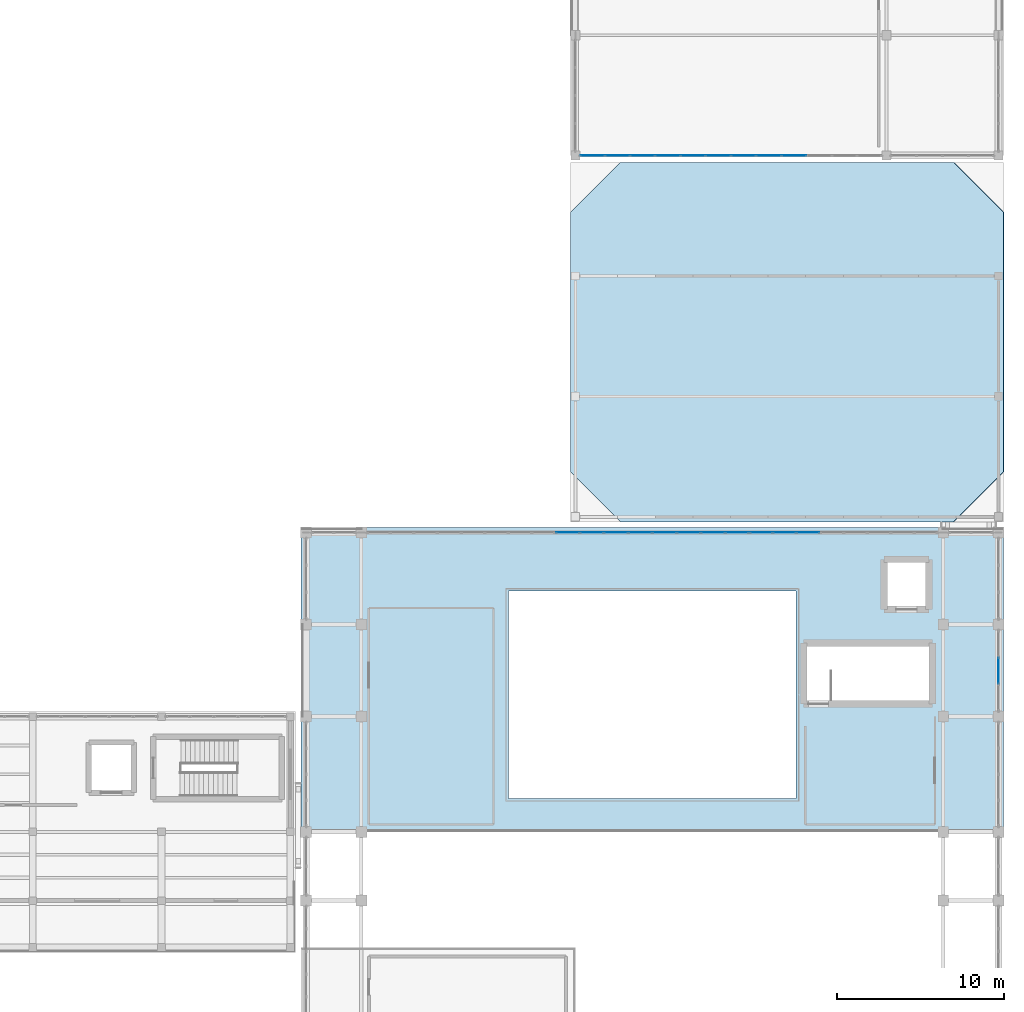
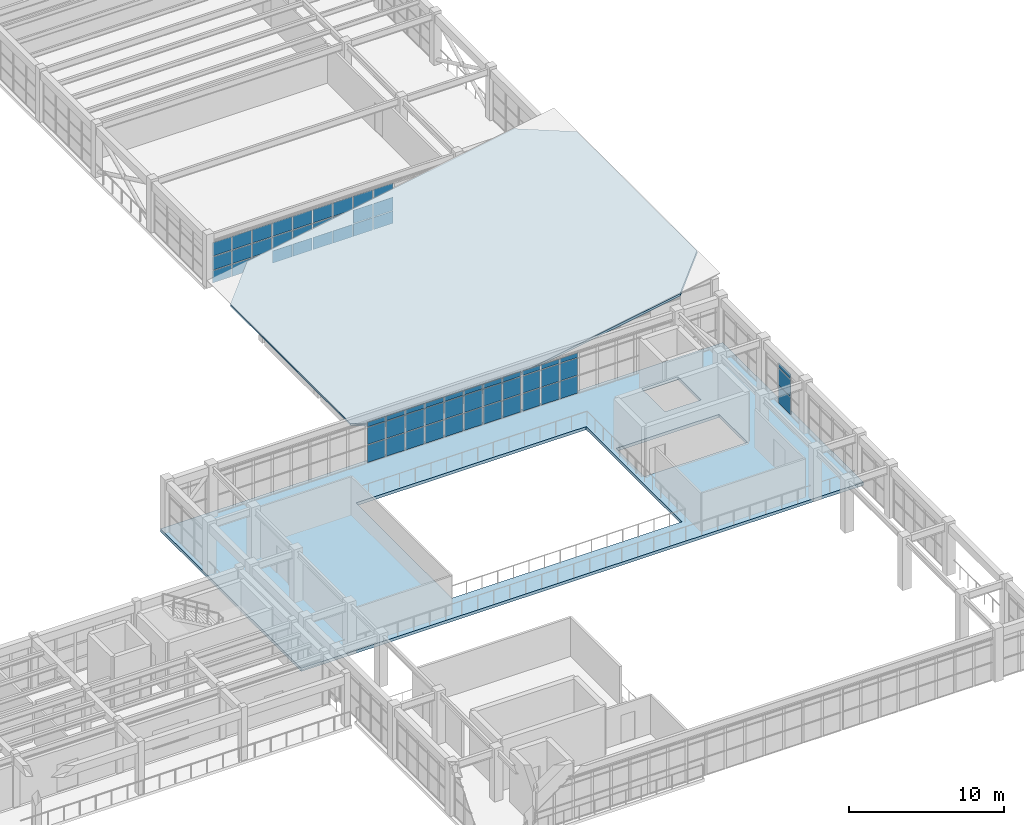
# One storey, part 45 of 66: 63 plates, 2 slabs, 4 elements without a shape of their own.
"""IFC4 building model written with IfcOpenShell, lengths in metres."""

from ifc_helpers import new_model, si_unit, direction, frame, origin, origin_2d, place, context, subcontext, project, spatial, polyline, rectangle, outline, extrude, material, layer, layer_set, type_object, element, aggregate, save


model = new_model("IFC4")

# Units and contexts
model_context = context("Model", 3, precision=1e-05, world=origin(), true_north=direction((0.0, 1.0)))
body_context = subcontext(model_context, "Body", "Model", "MODEL_VIEW")
ifc_project = project(units=[si_unit("LENGTHUNIT", "METRE"), si_unit("AREAUNIT", "SQUARE_METRE"), si_unit("VOLUMEUNIT", "CUBIC_METRE"), si_unit("PLANEANGLEUNIT", "RADIAN"), si_unit("MASSUNIT", "GRAM", prefix="KILO")], contexts=[model_context])

# Site, building, storey
site_placement = place(None, origin())
site = spatial("IfcSite", under=ifc_project, at=site_placement, CompositionType="ELEMENT")
building_placement = place(site_placement, origin())
building = spatial("IfcBuilding", under=site, at=building_placement, Name="Candilejo Ridge Gondola Terminal", CompositionType="ELEMENT")
storey_placement = place(building_placement, frame((0.0, 0.0, 14.39990234375)))
storey = spatial("IfcBuildingStorey", under=building, at=storey_placement, Name="L03", CompositionType="ELEMENT", Elevation=14.39990234375)

# Curtain wall, plates
ifc_material_1 = material(Name="Anodised aluminium AA 6063-T6", Category="aluminium")
ifc_layer_1 = layer(ifc_material_1, 0.169921875)
ifc_layer_set_1 = layer_set([ifc_layer_1], Name="ARC-CW-HALL-3800-485X329")
curtain_wall_type_1 = type_object("IfcCurtainWallType", Name="ARC-CW-HALL-3800-485X329", PredefinedType="NOTDEFINED", material=ifc_layer_set_1)
curtain_wall_1_placement = place(storey_placement, origin())
curtain_wall_1 = element("IfcCurtainWall", 1, at=curtain_wall_1_placement, inside=storey, type_object=curtain_wall_type_1, Name="Curtain wall V4 L03-161", PredefinedType="NOTDEFINED")
ifc_material_2 = material(Name="Low-E laminated double glazing 6+12A+6+1.52PVB+6 mm", Category="glass")
ifc_layer_2 = layer(ifc_material_2, 0.028076171875)
ifc_layer_set_2 = layer_set([ifc_layer_2], Name="ARC-CW-GLAZ-PANEL")
plate_type = type_object("IfcPlateType", Name="ARC-CW-GLAZ-PANEL", PredefinedType="CURTAIN_PANEL", material=ifc_layer_set_2)
plate_1_placement = place(storey_placement, frame((175.300048828125, 39.449951171875, 0.06005859375), z_axis=(0.0, 0.0, 1.0), x_axis=(0.0, 1.0, 0.0)))
plate_1 = element("IfcPlate", 2, at=plate_1_placement, type_object=plate_type, Name="CW-48X32 panel 2.1", PredefinedType="CURTAIN_PANEL", context=body_context, shape_type="SweptSolid", body=[
    extrude(rectangle(XDim=1.5517578125, YDim=0.028076171875, at=origin_2d()), origin(), (0.0, 0.0, 1.0), 1.360107421875),
])
plate_2_placement = place(storey_placement, frame((175.300048828125, 39.449951171875, 1.47998046875), z_axis=(0.0, 0.0, 1.0), x_axis=(0.0, 1.0, 0.0)))
plate_2 = element("IfcPlate", 3, at=plate_2_placement, type_object=plate_type, Name="CW-48X32 panel 2.2", PredefinedType="CURTAIN_PANEL", context=body_context, shape_type="SweptSolid", body=[
    extrude(rectangle(XDim=1.5517578125, YDim=0.028076171875, at=origin_2d()), origin(), (0.0, 0.0, 1.0), 1.340087890625),
])
plate_3_placement = place(storey_placement, frame((175.300048828125, 39.449951171875, 2.880126953125), z_axis=(0.0, 0.0, 1.0), x_axis=(0.0, 1.0, 0.0)))
plate_3 = element("IfcPlate", 4, at=plate_3_placement, type_object=plate_type, Name="CW-48X32 panel 2.3", PredefinedType="CURTAIN_PANEL", context=body_context, shape_type="SweptSolid", body=[
    extrude(rectangle(XDim=1.5517578125, YDim=0.028076171875, at=origin_2d()), origin(), (0.0, 0.0, 1.0), 0.35009765625),
])
aggregate(curtain_wall_1, [plate_1, plate_2, plate_3])

ifc_material_3 = material(Name="Anodised aluminium AA 6063-T6", Category="aluminium")
ifc_layer_3 = layer(ifc_material_3, 0.169921875)
ifc_layer_set_3 = layer_set([ifc_layer_3], Name="ARC-CW-HALL-3800-1160X329")
curtain_wall_type_2 = type_object("IfcCurtainWallType", Name="ARC-CW-HALL-3800-1160X329", PredefinedType="NOTDEFINED", material=ifc_layer_set_3)
curtain_wall_2_placement = place(storey_placement, origin())
curtain_wall_2 = element("IfcCurtainWall", 5, at=curtain_wall_2_placement, inside=storey, type_object=curtain_wall_type_2, Name="Curtain wall V4 L03-172", PredefinedType="NOTDEFINED")
plate_4_placement = place(storey_placement, frame((149.541259765625, 47.699951171875, 0.06005859375), z_axis=(0.0, 0.0, 1.0), x_axis=(1.0, 0.0, 0.0)))
plate_4 = element("IfcPlate", 6, at=plate_4_placement, type_object=plate_type, Name="CW-116X32 panel 1.1", PredefinedType="CURTAIN_PANEL", context=body_context, shape_type="SweptSolid", body=[
    extrude(rectangle(XDim=1.3525390625, YDim=0.028076171875, at=origin_2d()), origin(), (0.0, 0.0, 1.0), 1.360107421875),
])
plate_5_placement = place(storey_placement, frame((149.541259765625, 47.699951171875, 1.47998046875), z_axis=(0.0, 0.0, 1.0), x_axis=(1.0, 0.0, 0.0)))
plate_5 = element("IfcPlate", 7, at=plate_5_placement, type_object=plate_type, Name="CW-116X32 panel 1.2", PredefinedType="CURTAIN_PANEL", context=body_context, shape_type="SweptSolid", body=[
    extrude(rectangle(XDim=1.3525390625, YDim=0.028076171875, at=origin_2d()), origin(), (0.0, 0.0, 1.0), 1.340087890625),
])
plate_6_placement = place(storey_placement, frame((149.541259765625, 47.699951171875, 2.880126953125), z_axis=(0.0, 0.0, 1.0), x_axis=(1.0, 0.0, 0.0)))
plate_6 = element("IfcPlate", 8, at=plate_6_placement, type_object=plate_type, Name="CW-116X32 panel 1.3", PredefinedType="CURTAIN_PANEL", context=body_context, shape_type="SweptSolid", body=[
    extrude(rectangle(XDim=1.3525390625, YDim=0.028076171875, at=origin_2d()), origin(), (0.0, 0.0, 1.0), 0.35009765625),
])
plate_7_placement = place(storey_placement, frame((150.97509765625, 47.699951171875, 0.06005859375), z_axis=(0.0, 0.0, 1.0), x_axis=(1.0, 0.0, 0.0)))
plate_7 = element("IfcPlate", 9, at=plate_7_placement, type_object=plate_type, Name="CW-116X32 panel 2.1", PredefinedType="CURTAIN_PANEL", context=body_context, shape_type="SweptSolid", body=[
    extrude(rectangle(XDim=1.385009765625, YDim=0.028076171875, at=origin_2d()), origin(), (0.0, 0.0, 1.0), 1.360107421875),
])
plate_8_placement = place(storey_placement, frame((150.97509765625, 47.699951171875, 1.47998046875), z_axis=(0.0, 0.0, 1.0), x_axis=(1.0, 0.0, 0.0)))
plate_8 = element("IfcPlate", 10, at=plate_8_placement, type_object=plate_type, Name="CW-116X32 panel 2.2", PredefinedType="CURTAIN_PANEL", context=body_context, shape_type="SweptSolid", body=[
    extrude(rectangle(XDim=1.385009765625, YDim=0.028076171875, at=origin_2d()), origin(), (0.0, 0.0, 1.0), 1.340087890625),
])
plate_9_placement = place(storey_placement, frame((150.97509765625, 47.699951171875, 2.880126953125), z_axis=(0.0, 0.0, 1.0), x_axis=(1.0, 0.0, 0.0)))
plate_9 = element("IfcPlate", 11, at=plate_9_placement, type_object=plate_type, Name="CW-116X32 panel 2.3", PredefinedType="CURTAIN_PANEL", context=body_context, shape_type="SweptSolid", body=[
    extrude(rectangle(XDim=1.385009765625, YDim=0.028076171875, at=origin_2d()), origin(), (0.0, 0.0, 1.0), 0.35009765625),
])
plate_10_placement = place(storey_placement, frame((152.425048828125, 47.699951171875, 0.06005859375), z_axis=(0.0, 0.0, 1.0), x_axis=(1.0, 0.0, 0.0)))
plate_10 = element("IfcPlate", 12, at=plate_10_placement, type_object=plate_type, Name="CW-116X32 panel 3.1", PredefinedType="CURTAIN_PANEL", context=body_context, shape_type="SweptSolid", body=[
    extrude(rectangle(XDim=1.385009765625, YDim=0.028076171875, at=origin_2d()), origin(), (0.0, 0.0, 1.0), 1.360107421875),
])
plate_11_placement = place(storey_placement, frame((152.425048828125, 47.699951171875, 1.47998046875), z_axis=(0.0, 0.0, 1.0), x_axis=(1.0, 0.0, 0.0)))
plate_11 = element("IfcPlate", 13, at=plate_11_placement, type_object=plate_type, Name="CW-116X32 panel 3.2", PredefinedType="CURTAIN_PANEL", context=body_context, shape_type="SweptSolid", body=[
    extrude(rectangle(XDim=1.385009765625, YDim=0.028076171875, at=origin_2d()), origin(), (0.0, 0.0, 1.0), 1.340087890625),
])
plate_12_placement = place(storey_placement, frame((152.425048828125, 47.699951171875, 2.880126953125), z_axis=(0.0, 0.0, 1.0), x_axis=(1.0, 0.0, 0.0)))
plate_12 = element("IfcPlate", 14, at=plate_12_placement, type_object=plate_type, Name="CW-116X32 panel 3.3", PredefinedType="CURTAIN_PANEL", context=body_context, shape_type="SweptSolid", body=[
    extrude(rectangle(XDim=1.385009765625, YDim=0.028076171875, at=origin_2d()), origin(), (0.0, 0.0, 1.0), 0.35009765625),
])
plate_13_placement = place(storey_placement, frame((153.875, 47.699951171875, 0.06005859375), z_axis=(0.0, 0.0, 1.0), x_axis=(1.0, 0.0, 0.0)))
plate_13 = element("IfcPlate", 15, at=plate_13_placement, type_object=plate_type, Name="CW-116X32 panel 4.1", PredefinedType="CURTAIN_PANEL", context=body_context, shape_type="SweptSolid", body=[
    extrude(rectangle(XDim=1.385009765625, YDim=0.028076171875, at=origin_2d()), origin(), (0.0, 0.0, 1.0), 1.360107421875),
])
plate_14_placement = place(storey_placement, frame((153.875, 47.699951171875, 1.47998046875), z_axis=(0.0, 0.0, 1.0), x_axis=(1.0, 0.0, 0.0)))
plate_14 = element("IfcPlate", 16, at=plate_14_placement, type_object=plate_type, Name="CW-116X32 panel 4.2", PredefinedType="CURTAIN_PANEL", context=body_context, shape_type="SweptSolid", body=[
    extrude(rectangle(XDim=1.385009765625, YDim=0.028076171875, at=origin_2d()), origin(), (0.0, 0.0, 1.0), 1.340087890625),
])
plate_15_placement = place(storey_placement, frame((153.875, 47.699951171875, 2.880126953125), z_axis=(0.0, 0.0, 1.0), x_axis=(1.0, 0.0, 0.0)))
plate_15 = element("IfcPlate", 17, at=plate_15_placement, type_object=plate_type, Name="CW-116X32 panel 4.3", PredefinedType="CURTAIN_PANEL", context=body_context, shape_type="SweptSolid", body=[
    extrude(rectangle(XDim=1.385009765625, YDim=0.028076171875, at=origin_2d()), origin(), (0.0, 0.0, 1.0), 0.35009765625),
])
plate_16_placement = place(storey_placement, frame((155.324951171875, 47.699951171875, 0.06005859375), z_axis=(0.0, 0.0, 1.0), x_axis=(1.0, 0.0, 0.0)))
plate_16 = element("IfcPlate", 18, at=plate_16_placement, type_object=plate_type, Name="CW-116X32 panel 5.1", PredefinedType="CURTAIN_PANEL", context=body_context, shape_type="SweptSolid", body=[
    extrude(rectangle(XDim=1.385009765625, YDim=0.028076171875, at=origin_2d()), origin(), (0.0, 0.0, 1.0), 1.360107421875),
])
plate_17_placement = place(storey_placement, frame((155.324951171875, 47.699951171875, 1.47998046875), z_axis=(0.0, 0.0, 1.0), x_axis=(1.0, 0.0, 0.0)))
plate_17 = element("IfcPlate", 19, at=plate_17_placement, type_object=plate_type, Name="CW-116X32 panel 5.2", PredefinedType="CURTAIN_PANEL", context=body_context, shape_type="SweptSolid", body=[
    extrude(rectangle(XDim=1.385009765625, YDim=0.028076171875, at=origin_2d()), origin(), (0.0, 0.0, 1.0), 1.340087890625),
])
plate_18_placement = place(storey_placement, frame((155.324951171875, 47.699951171875, 2.880126953125), z_axis=(0.0, 0.0, 1.0), x_axis=(1.0, 0.0, 0.0)))
plate_18 = element("IfcPlate", 20, at=plate_18_placement, type_object=plate_type, Name="CW-116X32 panel 5.3", PredefinedType="CURTAIN_PANEL", context=body_context, shape_type="SweptSolid", body=[
    extrude(rectangle(XDim=1.385009765625, YDim=0.028076171875, at=origin_2d()), origin(), (0.0, 0.0, 1.0), 0.35009765625),
])
plate_19_placement = place(storey_placement, frame((156.77490234375, 47.699951171875, 0.06005859375), z_axis=(0.0, 0.0, 1.0), x_axis=(1.0, 0.0, 0.0)))
plate_19 = element("IfcPlate", 21, at=plate_19_placement, type_object=plate_type, Name="CW-116X32 panel 6.1", PredefinedType="CURTAIN_PANEL", context=body_context, shape_type="SweptSolid", body=[
    extrude(rectangle(XDim=1.385009765625, YDim=0.028076171875, at=origin_2d()), origin(), (0.0, 0.0, 1.0), 1.360107421875),
])
plate_20_placement = place(storey_placement, frame((156.77490234375, 47.699951171875, 1.47998046875), z_axis=(0.0, 0.0, 1.0), x_axis=(1.0, 0.0, 0.0)))
plate_20 = element("IfcPlate", 22, at=plate_20_placement, type_object=plate_type, Name="CW-116X32 panel 6.2", PredefinedType="CURTAIN_PANEL", context=body_context, shape_type="SweptSolid", body=[
    extrude(rectangle(XDim=1.385009765625, YDim=0.028076171875, at=origin_2d()), origin(), (0.0, 0.0, 1.0), 1.340087890625),
])
plate_21_placement = place(storey_placement, frame((156.77490234375, 47.699951171875, 2.880126953125), z_axis=(0.0, 0.0, 1.0), x_axis=(1.0, 0.0, 0.0)))
plate_21 = element("IfcPlate", 23, at=plate_21_placement, type_object=plate_type, Name="CW-116X32 panel 6.3", PredefinedType="CURTAIN_PANEL", context=body_context, shape_type="SweptSolid", body=[
    extrude(rectangle(XDim=1.385009765625, YDim=0.028076171875, at=origin_2d()), origin(), (0.0, 0.0, 1.0), 0.35009765625),
])
plate_22_placement = place(storey_placement, frame((158.22509765625, 47.699951171875, 0.06005859375), z_axis=(0.0, 0.0, 1.0), x_axis=(1.0, 0.0, 0.0)))
plate_22 = element("IfcPlate", 24, at=plate_22_placement, type_object=plate_type, Name="CW-116X32 panel 7.1", PredefinedType="CURTAIN_PANEL", context=body_context, shape_type="SweptSolid", body=[
    extrude(rectangle(XDim=1.385009765625, YDim=0.028076171875, at=origin_2d()), origin(), (0.0, 0.0, 1.0), 1.360107421875),
])
plate_23_placement = place(storey_placement, frame((158.22509765625, 47.699951171875, 1.47998046875), z_axis=(0.0, 0.0, 1.0), x_axis=(1.0, 0.0, 0.0)))
plate_23 = element("IfcPlate", 25, at=plate_23_placement, type_object=plate_type, Name="CW-116X32 panel 7.2", PredefinedType="CURTAIN_PANEL", context=body_context, shape_type="SweptSolid", body=[
    extrude(rectangle(XDim=1.385009765625, YDim=0.028076171875, at=origin_2d()), origin(), (0.0, 0.0, 1.0), 1.340087890625),
])
plate_24_placement = place(storey_placement, frame((158.22509765625, 47.699951171875, 2.880126953125), z_axis=(0.0, 0.0, 1.0), x_axis=(1.0, 0.0, 0.0)))
plate_24 = element("IfcPlate", 26, at=plate_24_placement, type_object=plate_type, Name="CW-116X32 panel 7.3", PredefinedType="CURTAIN_PANEL", context=body_context, shape_type="SweptSolid", body=[
    extrude(rectangle(XDim=1.385009765625, YDim=0.028076171875, at=origin_2d()), origin(), (0.0, 0.0, 1.0), 0.35009765625),
])
plate_25_placement = place(storey_placement, frame((159.65869140625, 47.699951171875, 0.06005859375), z_axis=(0.0, 0.0, 1.0), x_axis=(1.0, 0.0, 0.0)))
plate_25 = element("IfcPlate", 27, at=plate_25_placement, type_object=plate_type, Name="CW-116X32 panel 8.1", PredefinedType="CURTAIN_PANEL", context=body_context, shape_type="SweptSolid", body=[
    extrude(rectangle(XDim=1.3525390625, YDim=0.028076171875, at=origin_2d()), origin(), (0.0, 0.0, 1.0), 1.360107421875),
])
plate_26_placement = place(storey_placement, frame((159.65869140625, 47.699951171875, 1.47998046875), z_axis=(0.0, 0.0, 1.0), x_axis=(1.0, 0.0, 0.0)))
plate_26 = element("IfcPlate", 28, at=plate_26_placement, type_object=plate_type, Name="CW-116X32 panel 8.2", PredefinedType="CURTAIN_PANEL", context=body_context, shape_type="SweptSolid", body=[
    extrude(rectangle(XDim=1.3525390625, YDim=0.028076171875, at=origin_2d()), origin(), (0.0, 0.0, 1.0), 1.340087890625),
])
plate_27_placement = place(storey_placement, frame((159.65869140625, 47.699951171875, 2.880126953125), z_axis=(0.0, 0.0, 1.0), x_axis=(1.0, 0.0, 0.0)))
plate_27 = element("IfcPlate", 29, at=plate_27_placement, type_object=plate_type, Name="CW-116X32 panel 8.3", PredefinedType="CURTAIN_PANEL", context=body_context, shape_type="SweptSolid", body=[
    extrude(rectangle(XDim=1.3525390625, YDim=0.028076171875, at=origin_2d()), origin(), (0.0, 0.0, 1.0), 0.35009765625),
])
aggregate(curtain_wall_2, [plate_4, plate_5, plate_6, plate_7, plate_8, plate_9, plate_10, plate_11, plate_12, plate_13, plate_14, plate_15, plate_16, plate_17, plate_18, plate_19, plate_20, plate_21, plate_22, plate_23, plate_24, plate_25, plate_26, plate_27])

ifc_material_4 = material(Name="Anodised aluminium AA 6063-T6", Category="aluminium")
ifc_layer_4 = layer(ifc_material_4, 0.169921875)
ifc_layer_set_4 = layer_set([ifc_layer_4], Name="ARC-CW-HALL-3800-1128X329")
curtain_wall_type_3 = type_object("IfcCurtainWallType", Name="ARC-CW-HALL-3800-1128X329", PredefinedType="NOTDEFINED", material=ifc_layer_set_4)
curtain_wall_3_placement = place(storey_placement, origin())
curtain_wall_3 = element("IfcCurtainWall", 30, at=curtain_wall_3_placement, inside=storey, type_object=curtain_wall_type_3, Name="Curtain wall V4 L03-173", PredefinedType="NOTDEFINED")
plate_28_placement = place(storey_placement, frame((161.120849609375, 47.699951171875, 0.06005859375), z_axis=(0.0, 0.0, 1.0), x_axis=(1.0, 0.0, 0.0)))
plate_28 = element("IfcPlate", 31, at=plate_28_placement, type_object=plate_type, Name="CW-112X32 panel 1.1", PredefinedType="CURTAIN_PANEL", context=body_context, shape_type="SweptSolid", body=[
    extrude(rectangle(XDim=1.311767578125, YDim=0.028076171875, at=origin_2d()), origin(), (0.0, 0.0, 1.0), 1.360107421875),
])
plate_29_placement = place(storey_placement, frame((161.120849609375, 47.699951171875, 1.47998046875), z_axis=(0.0, 0.0, 1.0), x_axis=(1.0, 0.0, 0.0)))
plate_29 = element("IfcPlate", 32, at=plate_29_placement, type_object=plate_type, Name="CW-112X32 panel 1.2", PredefinedType="CURTAIN_PANEL", context=body_context, shape_type="SweptSolid", body=[
    extrude(rectangle(XDim=1.311767578125, YDim=0.028076171875, at=origin_2d()), origin(), (0.0, 0.0, 1.0), 1.340087890625),
])
plate_30_placement = place(storey_placement, frame((161.120849609375, 47.699951171875, 2.880126953125), z_axis=(0.0, 0.0, 1.0), x_axis=(1.0, 0.0, 0.0)))
plate_30 = element("IfcPlate", 33, at=plate_30_placement, type_object=plate_type, Name="CW-112X32 panel 1.3", PredefinedType="CURTAIN_PANEL", context=body_context, shape_type="SweptSolid", body=[
    extrude(rectangle(XDim=1.311767578125, YDim=0.028076171875, at=origin_2d()), origin(), (0.0, 0.0, 1.0), 0.35009765625),
])
plate_31_placement = place(storey_placement, frame((162.51416015625, 47.699951171875, 0.06005859375), z_axis=(0.0, 0.0, 1.0), x_axis=(1.0, 0.0, 0.0)))
plate_31 = element("IfcPlate", 34, at=plate_31_placement, type_object=plate_type, Name="CW-112X32 panel 2.1", PredefinedType="CURTAIN_PANEL", context=body_context, shape_type="SweptSolid", body=[
    extrude(rectangle(XDim=1.344482421875, YDim=0.028076171875, at=origin_2d()), origin(), (0.0, 0.0, 1.0), 1.360107421875),
])
plate_32_placement = place(storey_placement, frame((162.51416015625, 47.699951171875, 1.47998046875), z_axis=(0.0, 0.0, 1.0), x_axis=(1.0, 0.0, 0.0)))
plate_32 = element("IfcPlate", 35, at=plate_32_placement, type_object=plate_type, Name="CW-112X32 panel 2.2", PredefinedType="CURTAIN_PANEL", context=body_context, shape_type="SweptSolid", body=[
    extrude(rectangle(XDim=1.344482421875, YDim=0.028076171875, at=origin_2d()), origin(), (0.0, 0.0, 1.0), 1.340087890625),
])
plate_33_placement = place(storey_placement, frame((162.51416015625, 47.699951171875, 2.880126953125), z_axis=(0.0, 0.0, 1.0), x_axis=(1.0, 0.0, 0.0)))
plate_33 = element("IfcPlate", 36, at=plate_33_placement, type_object=plate_type, Name="CW-112X32 panel 2.3", PredefinedType="CURTAIN_PANEL", context=body_context, shape_type="SweptSolid", body=[
    extrude(rectangle(XDim=1.344482421875, YDim=0.028076171875, at=origin_2d()), origin(), (0.0, 0.0, 1.0), 0.35009765625),
])
plate_34_placement = place(storey_placement, frame((163.92333984375, 47.699951171875, 0.06005859375), z_axis=(0.0, 0.0, 1.0), x_axis=(1.0, 0.0, 0.0)))
plate_34 = element("IfcPlate", 37, at=plate_34_placement, type_object=plate_type, Name="CW-112X32 panel 3.1", PredefinedType="CURTAIN_PANEL", context=body_context, shape_type="SweptSolid", body=[
    extrude(rectangle(XDim=1.344482421875, YDim=0.028076171875, at=origin_2d()), origin(), (0.0, 0.0, 1.0), 1.360107421875),
])
plate_35_placement = place(storey_placement, frame((163.92333984375, 47.699951171875, 1.47998046875), z_axis=(0.0, 0.0, 1.0), x_axis=(1.0, 0.0, 0.0)))
plate_35 = element("IfcPlate", 38, at=plate_35_placement, type_object=plate_type, Name="CW-112X32 panel 3.2", PredefinedType="CURTAIN_PANEL", context=body_context, shape_type="SweptSolid", body=[
    extrude(rectangle(XDim=1.344482421875, YDim=0.028076171875, at=origin_2d()), origin(), (0.0, 0.0, 1.0), 1.340087890625),
])
plate_36_placement = place(storey_placement, frame((163.92333984375, 47.699951171875, 2.880126953125), z_axis=(0.0, 0.0, 1.0), x_axis=(1.0, 0.0, 0.0)))
plate_36 = element("IfcPlate", 39, at=plate_36_placement, type_object=plate_type, Name="CW-112X32 panel 3.3", PredefinedType="CURTAIN_PANEL", context=body_context, shape_type="SweptSolid", body=[
    extrude(rectangle(XDim=1.344482421875, YDim=0.028076171875, at=origin_2d()), origin(), (0.0, 0.0, 1.0), 0.35009765625),
])
aggregate(curtain_wall_3, [plate_28, plate_29, plate_30, plate_31, plate_32, plate_33, plate_34, plate_35, plate_36])

ifc_material_5 = material(Name="Anodised aluminium AA 6063-T6", Category="aluminium")
ifc_layer_5 = layer(ifc_material_5, 0.169921875)
ifc_layer_set_5 = layer_set([ifc_layer_5], Name="ARC-CW-TOWER-3000-1810X329")
curtain_wall_type_4 = type_object("IfcCurtainWallType", Name="ARC-CW-TOWER-3000-1810X329", PredefinedType="NOTDEFINED", material=ifc_layer_set_5)
curtain_wall_4_placement = place(storey_placement, origin())
curtain_wall_4 = element("IfcCurtainWall", 40, at=curtain_wall_4_placement, inside=storey, type_object=curtain_wall_type_4, Name="Curtain wall V5 L03-208", PredefinedType="NOTDEFINED")
plate_37_placement = place(storey_placement, frame((151.0205078125, 70.25, 0.06005859375), z_axis=(0.0, 0.0, 1.0), x_axis=(1.0, 0.0, 0.0)))
plate_37 = element("IfcPlate", 41, at=plate_37_placement, type_object=plate_type, Name="CW-181X32 panel 1.1", PredefinedType="CURTAIN_PANEL", context=body_context, shape_type="SweptSolid", body=[
    extrude(rectangle(XDim=1.410888671875, YDim=0.028076171875, at=origin_2d()), origin(), (0.0, 0.0, 1.0), 0.9599609375),
])
plate_38_placement = place(storey_placement, frame((151.0205078125, 70.25, 1.080078125), z_axis=(0.0, 0.0, 1.0), x_axis=(1.0, 0.0, 0.0)))
plate_38 = element("IfcPlate", 42, at=plate_38_placement, type_object=plate_type, Name="CW-181X32 panel 1.2", PredefinedType="CURTAIN_PANEL", context=body_context, shape_type="SweptSolid", body=[
    extrude(rectangle(XDim=1.410888671875, YDim=0.028076171875, at=origin_2d()), origin(), (0.0, 0.0, 1.0), 1.0400390625),
])
plate_39_placement = place(storey_placement, frame((151.0205078125, 70.25, 2.18017578125), z_axis=(0.0, 0.0, 1.0), x_axis=(1.0, 0.0, 0.0)))
plate_39 = element("IfcPlate", 43, at=plate_39_placement, type_object=plate_type, Name="CW-181X32 panel 1.3", PredefinedType="CURTAIN_PANEL", context=body_context, shape_type="SweptSolid", body=[
    extrude(rectangle(XDim=1.410888671875, YDim=0.028076171875, at=origin_2d()), origin(), (0.0, 0.0, 1.0), 1.050048828125),
])
plate_40_placement = place(storey_placement, frame((152.512451171875, 70.25, 0.06005859375), z_axis=(0.0, 0.0, 1.0), x_axis=(1.0, 0.0, 0.0)))
plate_40 = element("IfcPlate", 44, at=plate_40_placement, type_object=plate_type, Name="CW-181X32 panel 2.1", PredefinedType="CURTAIN_PANEL", context=body_context, shape_type="SweptSolid", body=[
    extrude(rectangle(XDim=1.443359375, YDim=0.028076171875, at=origin_2d()), origin(), (0.0, 0.0, 1.0), 0.9599609375),
])
plate_41_placement = place(storey_placement, frame((152.512451171875, 70.25, 1.080078125), z_axis=(0.0, 0.0, 1.0), x_axis=(1.0, 0.0, 0.0)))
plate_41 = element("IfcPlate", 45, at=plate_41_placement, type_object=plate_type, Name="CW-181X32 panel 2.2", PredefinedType="CURTAIN_PANEL", context=body_context, shape_type="SweptSolid", body=[
    extrude(rectangle(XDim=1.443359375, YDim=0.028076171875, at=origin_2d()), origin(), (0.0, 0.0, 1.0), 1.0400390625),
])
plate_42_placement = place(storey_placement, frame((152.512451171875, 70.25, 2.18017578125), z_axis=(0.0, 0.0, 1.0), x_axis=(1.0, 0.0, 0.0)))
plate_42 = element("IfcPlate", 46, at=plate_42_placement, type_object=plate_type, Name="CW-181X32 panel 2.3", PredefinedType="CURTAIN_PANEL", context=body_context, shape_type="SweptSolid", body=[
    extrude(rectangle(XDim=1.443359375, YDim=0.028076171875, at=origin_2d()), origin(), (0.0, 0.0, 1.0), 1.050048828125),
])
plate_43_placement = place(storey_placement, frame((154.020751953125, 70.25, 0.06005859375), z_axis=(0.0, 0.0, 1.0), x_axis=(1.0, 0.0, 0.0)))
plate_43 = element("IfcPlate", 47, at=plate_43_placement, type_object=plate_type, Name="CW-181X32 panel 3.1", PredefinedType="CURTAIN_PANEL", context=body_context, shape_type="SweptSolid", body=[
    extrude(rectangle(XDim=1.443359375, YDim=0.028076171875, at=origin_2d()), origin(), (0.0, 0.0, 1.0), 0.9599609375),
])
plate_44_placement = place(storey_placement, frame((154.020751953125, 70.25, 1.080078125), z_axis=(0.0, 0.0, 1.0), x_axis=(1.0, 0.0, 0.0)))
plate_44 = element("IfcPlate", 48, at=plate_44_placement, type_object=plate_type, Name="CW-181X32 panel 3.2", PredefinedType="CURTAIN_PANEL", context=body_context, shape_type="SweptSolid", body=[
    extrude(rectangle(XDim=1.443359375, YDim=0.028076171875, at=origin_2d()), origin(), (0.0, 0.0, 1.0), 1.0400390625),
])
plate_45_placement = place(storey_placement, frame((154.020751953125, 70.25, 2.18017578125), z_axis=(0.0, 0.0, 1.0), x_axis=(1.0, 0.0, 0.0)))
plate_45 = element("IfcPlate", 49, at=plate_45_placement, type_object=plate_type, Name="CW-181X32 panel 3.3", PredefinedType="CURTAIN_PANEL", context=body_context, shape_type="SweptSolid", body=[
    extrude(rectangle(XDim=1.443359375, YDim=0.028076171875, at=origin_2d()), origin(), (0.0, 0.0, 1.0), 1.050048828125),
])
plate_46_placement = place(storey_placement, frame((155.529052734375, 70.25, 0.06005859375), z_axis=(0.0, 0.0, 1.0), x_axis=(1.0, 0.0, 0.0)))
plate_46 = element("IfcPlate", 50, at=plate_46_placement, type_object=plate_type, Name="CW-181X32 panel 4.1", PredefinedType="CURTAIN_PANEL", context=body_context, shape_type="SweptSolid", body=[
    extrude(rectangle(XDim=1.443359375, YDim=0.028076171875, at=origin_2d()), origin(), (0.0, 0.0, 1.0), 0.9599609375),
])
plate_47_placement = place(storey_placement, frame((155.529052734375, 70.25, 1.080078125), z_axis=(0.0, 0.0, 1.0), x_axis=(1.0, 0.0, 0.0)))
plate_47 = element("IfcPlate", 51, at=plate_47_placement, type_object=plate_type, Name="CW-181X32 panel 4.2", PredefinedType="CURTAIN_PANEL", context=body_context, shape_type="SweptSolid", body=[
    extrude(rectangle(XDim=1.443359375, YDim=0.028076171875, at=origin_2d()), origin(), (0.0, 0.0, 1.0), 1.0400390625),
])
plate_48_placement = place(storey_placement, frame((155.529052734375, 70.25, 2.18017578125), z_axis=(0.0, 0.0, 1.0), x_axis=(1.0, 0.0, 0.0)))
plate_48 = element("IfcPlate", 52, at=plate_48_placement, type_object=plate_type, Name="CW-181X32 panel 4.3", PredefinedType="CURTAIN_PANEL", context=body_context, shape_type="SweptSolid", body=[
    extrude(rectangle(XDim=1.443359375, YDim=0.028076171875, at=origin_2d()), origin(), (0.0, 0.0, 1.0), 1.050048828125),
])
plate_49_placement = place(storey_placement, frame((157.03759765625, 70.25, 0.06005859375), z_axis=(0.0, 0.0, 1.0), x_axis=(1.0, 0.0, 0.0)))
plate_49 = element("IfcPlate", 53, at=plate_49_placement, type_object=plate_type, Name="CW-181X32 panel 5.1", PredefinedType="CURTAIN_PANEL", context=body_context, shape_type="SweptSolid", body=[
    extrude(rectangle(XDim=1.443359375, YDim=0.028076171875, at=origin_2d()), origin(), (0.0, 0.0, 1.0), 0.9599609375),
])
plate_50_placement = place(storey_placement, frame((157.03759765625, 70.25, 1.080078125), z_axis=(0.0, 0.0, 1.0), x_axis=(1.0, 0.0, 0.0)))
plate_50 = element("IfcPlate", 54, at=plate_50_placement, type_object=plate_type, Name="CW-181X32 panel 5.2", PredefinedType="CURTAIN_PANEL", context=body_context, shape_type="SweptSolid", body=[
    extrude(rectangle(XDim=1.443359375, YDim=0.028076171875, at=origin_2d()), origin(), (0.0, 0.0, 1.0), 1.0400390625),
])
plate_51_placement = place(storey_placement, frame((157.03759765625, 70.25, 2.18017578125), z_axis=(0.0, 0.0, 1.0), x_axis=(1.0, 0.0, 0.0)))
plate_51 = element("IfcPlate", 55, at=plate_51_placement, type_object=plate_type, Name="CW-181X32 panel 5.3", PredefinedType="CURTAIN_PANEL", context=body_context, shape_type="SweptSolid", body=[
    extrude(rectangle(XDim=1.443359375, YDim=0.028076171875, at=origin_2d()), origin(), (0.0, 0.0, 1.0), 1.050048828125),
])
plate_52_placement = place(storey_placement, frame((158.5458984375, 70.25, 0.06005859375), z_axis=(0.0, 0.0, 1.0), x_axis=(1.0, 0.0, 0.0)))
plate_52 = element("IfcPlate", 56, at=plate_52_placement, type_object=plate_type, Name="CW-181X32 panel 6.1", PredefinedType="CURTAIN_PANEL", context=body_context, shape_type="SweptSolid", body=[
    extrude(rectangle(XDim=1.443359375, YDim=0.028076171875, at=origin_2d()), origin(), (0.0, 0.0, 1.0), 0.9599609375),
])
plate_53_placement = place(storey_placement, frame((158.5458984375, 70.25, 1.080078125), z_axis=(0.0, 0.0, 1.0), x_axis=(1.0, 0.0, 0.0)))
plate_53 = element("IfcPlate", 57, at=plate_53_placement, type_object=plate_type, Name="CW-181X32 panel 6.2", PredefinedType="CURTAIN_PANEL", context=body_context, shape_type="SweptSolid", body=[
    extrude(rectangle(XDim=1.443359375, YDim=0.028076171875, at=origin_2d()), origin(), (0.0, 0.0, 1.0), 1.0400390625),
])
plate_54_placement = place(storey_placement, frame((158.5458984375, 70.25, 2.18017578125), z_axis=(0.0, 0.0, 1.0), x_axis=(1.0, 0.0, 0.0)))
plate_54 = element("IfcPlate", 58, at=plate_54_placement, type_object=plate_type, Name="CW-181X32 panel 6.3", PredefinedType="CURTAIN_PANEL", context=body_context, shape_type="SweptSolid", body=[
    extrude(rectangle(XDim=1.443359375, YDim=0.028076171875, at=origin_2d()), origin(), (0.0, 0.0, 1.0), 1.050048828125),
])
plate_55_placement = place(storey_placement, frame((160.05419921875, 70.25, 0.06005859375), z_axis=(0.0, 0.0, 1.0), x_axis=(1.0, 0.0, 0.0)))
plate_55 = element("IfcPlate", 59, at=plate_55_placement, type_object=plate_type, Name="CW-181X32 panel 7.1", PredefinedType="CURTAIN_PANEL", context=body_context, shape_type="SweptSolid", body=[
    extrude(rectangle(XDim=1.443359375, YDim=0.028076171875, at=origin_2d()), origin(), (0.0, 0.0, 1.0), 0.9599609375),
])
plate_56_placement = place(storey_placement, frame((160.05419921875, 70.25, 1.080078125), z_axis=(0.0, 0.0, 1.0), x_axis=(1.0, 0.0, 0.0)))
plate_56 = element("IfcPlate", 60, at=plate_56_placement, type_object=plate_type, Name="CW-181X32 panel 7.2", PredefinedType="CURTAIN_PANEL", context=body_context, shape_type="SweptSolid", body=[
    extrude(rectangle(XDim=1.443359375, YDim=0.028076171875, at=origin_2d()), origin(), (0.0, 0.0, 1.0), 1.0400390625),
])
plate_57_placement = place(storey_placement, frame((160.05419921875, 70.25, 2.18017578125), z_axis=(0.0, 0.0, 1.0), x_axis=(1.0, 0.0, 0.0)))
plate_57 = element("IfcPlate", 61, at=plate_57_placement, type_object=plate_type, Name="CW-181X32 panel 7.3", PredefinedType="CURTAIN_PANEL", context=body_context, shape_type="SweptSolid", body=[
    extrude(rectangle(XDim=1.443359375, YDim=0.028076171875, at=origin_2d()), origin(), (0.0, 0.0, 1.0), 1.050048828125),
])
plate_58_placement = place(storey_placement, frame((161.5625, 70.25, 0.06005859375), z_axis=(0.0, 0.0, 1.0), x_axis=(1.0, 0.0, 0.0)))
plate_58 = element("IfcPlate", 62, at=plate_58_placement, type_object=plate_type, Name="CW-181X32 panel 8.1", PredefinedType="CURTAIN_PANEL", context=body_context, shape_type="SweptSolid", body=[
    extrude(rectangle(XDim=1.443359375, YDim=0.028076171875, at=origin_2d()), origin(), (0.0, 0.0, 1.0), 0.9599609375),
])
plate_59_placement = place(storey_placement, frame((161.5625, 70.25, 1.080078125), z_axis=(0.0, 0.0, 1.0), x_axis=(1.0, 0.0, 0.0)))
plate_59 = element("IfcPlate", 63, at=plate_59_placement, type_object=plate_type, Name="CW-181X32 panel 8.2", PredefinedType="CURTAIN_PANEL", context=body_context, shape_type="SweptSolid", body=[
    extrude(rectangle(XDim=1.443359375, YDim=0.028076171875, at=origin_2d()), origin(), (0.0, 0.0, 1.0), 1.0400390625),
])
plate_60_placement = place(storey_placement, frame((161.5625, 70.25, 2.18017578125), z_axis=(0.0, 0.0, 1.0), x_axis=(1.0, 0.0, 0.0)))
plate_60 = element("IfcPlate", 64, at=plate_60_placement, type_object=plate_type, Name="CW-181X32 panel 8.3", PredefinedType="CURTAIN_PANEL", context=body_context, shape_type="SweptSolid", body=[
    extrude(rectangle(XDim=1.443359375, YDim=0.028076171875, at=origin_2d()), origin(), (0.0, 0.0, 1.0), 1.050048828125),
])
plate_61_placement = place(storey_placement, frame((163.07080078125, 70.25, 0.06005859375), z_axis=(0.0, 0.0, 1.0), x_axis=(1.0, 0.0, 0.0)))
plate_61 = element("IfcPlate", 65, at=plate_61_placement, type_object=plate_type, Name="CW-181X32 panel 9.1", PredefinedType="CURTAIN_PANEL", context=body_context, shape_type="SweptSolid", body=[
    extrude(rectangle(XDim=1.443359375, YDim=0.028076171875, at=origin_2d()), origin(), (0.0, 0.0, 1.0), 0.9599609375),
])
plate_62_placement = place(storey_placement, frame((163.07080078125, 70.25, 1.080078125), z_axis=(0.0, 0.0, 1.0), x_axis=(1.0, 0.0, 0.0)))
plate_62 = element("IfcPlate", 66, at=plate_62_placement, type_object=plate_type, Name="CW-181X32 panel 9.2", PredefinedType="CURTAIN_PANEL", context=body_context, shape_type="SweptSolid", body=[
    extrude(rectangle(XDim=1.443359375, YDim=0.028076171875, at=origin_2d()), origin(), (0.0, 0.0, 1.0), 1.0400390625),
])
plate_63_placement = place(storey_placement, frame((163.07080078125, 70.25, 2.18017578125), z_axis=(0.0, 0.0, 1.0), x_axis=(1.0, 0.0, 0.0)))
plate_63 = element("IfcPlate", 67, at=plate_63_placement, type_object=plate_type, Name="CW-181X32 panel 9.3", PredefinedType="CURTAIN_PANEL", context=body_context, shape_type="SweptSolid", body=[
    extrude(rectangle(XDim=1.443359375, YDim=0.028076171875, at=origin_2d()), origin(), (0.0, 0.0, 1.0), 1.050048828125),
])
aggregate(curtain_wall_4, [plate_37, plate_38, plate_39, plate_40, plate_41, plate_42, plate_43, plate_44, plate_45, plate_46, plate_47, plate_48, plate_49, plate_50, plate_51, plate_52, plate_53, plate_54, plate_55, plate_56, plate_57, plate_58, plate_59, plate_60, plate_61, plate_62, plate_63])

# Slabs
ifc_material_6 = material(Name="Concrete f'c 35 MPa (C35/45)", Category="concrete")
ifc_layer_6 = layer(ifc_material_6, 0.239990234375)
ifc_layer_set_6 = layer_set([ifc_layer_6], Name="STR-FLOOR-SLAB-240")
slab_type_1 = type_object("IfcSlabType", Name="STR-FLOOR-SLAB-240", PredefinedType="FLOOR", material=ifc_layer_set_6)
slab_1_placement = place(storey_placement, frame((0.0, 0.0, -0.239990234375)))
element("IfcSlab", 68, at=slab_1_placement, inside=storey, type_object=slab_type_1, Name="Slab SLB-V4-L03-OBS", PredefinedType="FLOOR", context=body_context, shape_type="SweptSolid", body=[
    extrude(outline(polyline([(133.60009765625, 29.800048828125), (175.60009765625, 29.800048828125), (175.60009765625, 48.0), (133.60009765625, 48.0), (133.60009765625, 29.800048828125)]), holes=[polyline([(163.64990234375, 37.449951171875), (171.35009765625, 37.449951171875), (171.35009765625, 41.10009765625), (163.64990234375, 41.10009765625), (163.64990234375, 37.449951171875)]), polyline([(168.449951171875, 43.10009765625), (171.14990234375, 43.10009765625), (171.14990234375, 46.10009765625), (168.449951171875, 46.10009765625), (168.449951171875, 43.10009765625)]), polyline([(146.0, 31.800048828125), (163.199951171875, 31.800048828125), (163.199951171875, 44.199951171875), (146.0, 44.199951171875), (146.0, 31.800048828125)])]), origin(), (0.0, 0.0, 1.0), 0.239990234375),
])
ifc_material_7 = material(Name="Concrete f'c 35 MPa (C35/45)", Category="concrete")
ifc_layer_7 = layer(ifc_material_7, 0.179931640625)
ifc_layer_set_7 = layer_set([ifc_layer_7], Name="STR-ROOF-SLAB-180")
slab_type_2 = type_object("IfcSlabType", Name="STR-ROOF-SLAB-180", PredefinedType="ROOF", material=ifc_layer_set_7)
slab_2_placement = place(storey_placement, frame((152.684814453125, 48.35009765625, 1.176513671875), z_axis=(-0.17364781709, 0.0, 0.984807816592), x_axis=(0.984807816592, 0.0, 0.17364781709)))
element("IfcSlab", 69, at=slab_2_placement, inside=storey, type_object=slab_type_2, Name="Sloped standing-seam roof deck RF-V5-GAR", PredefinedType="ROOF", context=body_context, shape_type="SweptSolid", body=[
    extrude(outline(polyline([(0.0, 0.0), (20.237619135456693, 0.0), (23.268778770981914, 2.9848632812499996), (23.268778770981914, 18.514892578124996), (20.237619135456693, 21.499999999999996), (0.0, 21.499999999999996), (-3.0309192039293738, 18.514892578124996), (-3.0309192039293738, 2.9848632812499996), (0.0, 0.0)])), origin(), (0.0, 0.0, -1.0), 0.179931640625),
])

save(model, "model.ifc")
